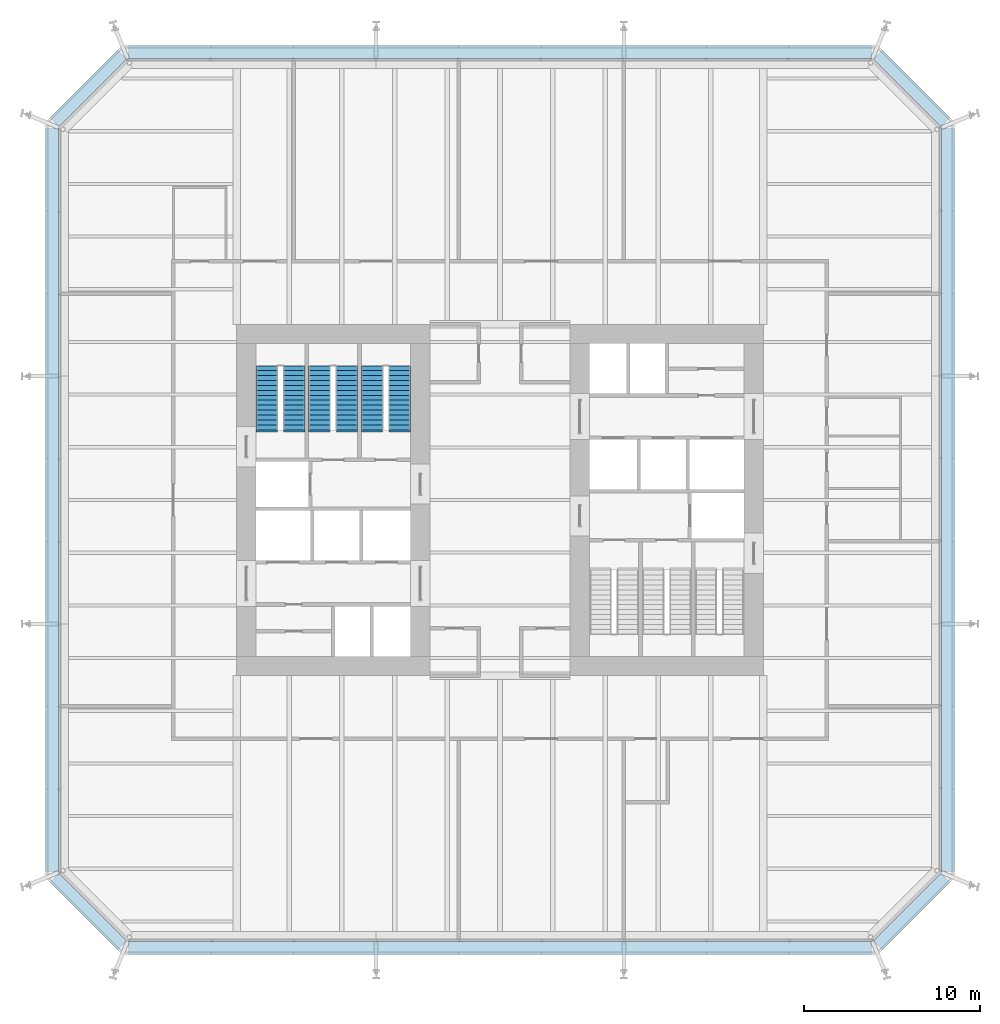
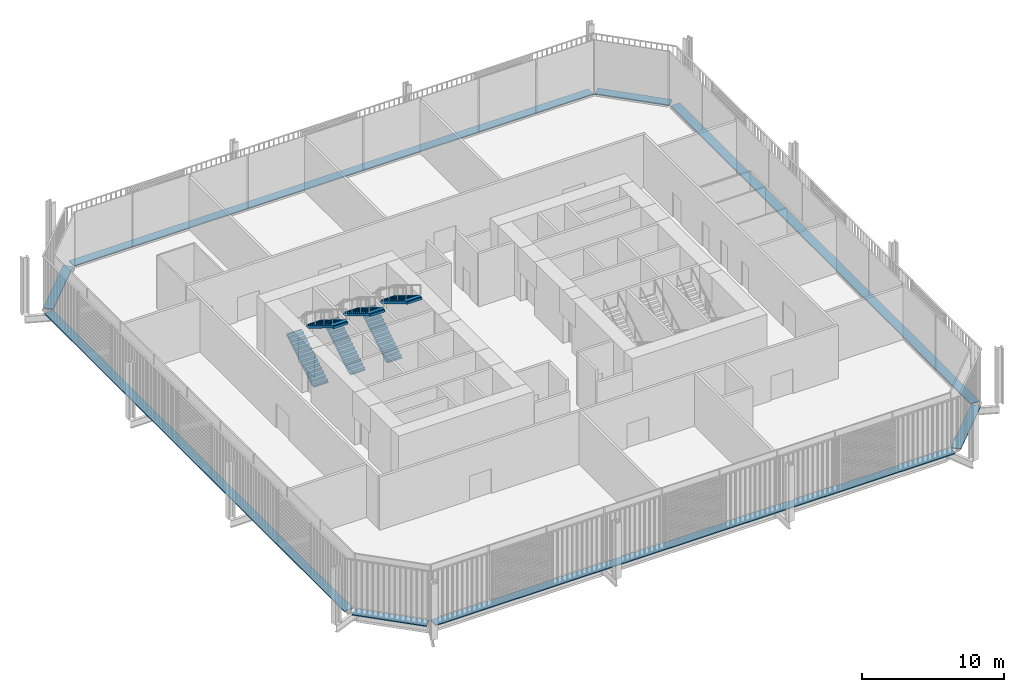
# One storey, part 21 of 22: 8 discrete accessories, 6 stair flights, 3 elements without a shape of their own.
"""IFC4 building model written with IfcOpenShell, lengths in metres."""

from ifc_helpers import new_model, si_unit, direction, frame, origin, origin_2d, place, context, subcontext, project, spatial, polyline, rectangle, outline, extrude, material, type_object, element, aggregate, save


model = new_model("IFC4")

# Units and contexts
model_context = context("Model", 3, precision=1e-05, world=origin(), true_north=direction((0.0, 1.0)))
body_context = subcontext(model_context, "Body", "Model", "MODEL_VIEW")
ifc_project = project(units=[si_unit("LENGTHUNIT", "METRE"), si_unit("AREAUNIT", "SQUARE_METRE"), si_unit("VOLUMEUNIT", "CUBIC_METRE"), si_unit("PLANEANGLEUNIT", "RADIAN"), si_unit("MASSUNIT", "GRAM", prefix="KILO")], contexts=[model_context])

# Site, building, storey
site_placement = place(None, origin())
site = spatial("IfcSite", under=ifc_project, at=site_placement, CompositionType="ELEMENT")
building_placement = place(site_placement, origin())
building = spatial("IfcBuilding", under=site, at=building_placement, Name="Millrace Tower", CompositionType="ELEMENT")
storey_placement = place(building_placement, frame((0.0, 0.0, 40.10009765625)))
storey = spatial("IfcBuildingStorey", under=building, at=storey_placement, Name="L09", CompositionType="ELEMENT", Elevation=40.10009765625)

# Stair, stair flights
ifc_material_1 = material(Name="Concrete C35", Category="concrete")
stair_type = type_object("IfcStairType", Name="Exit stair", PredefinedType="HALF_TURN_STAIR", material=ifc_material_1)
placement = place(storey_placement, origin())
stair_1 = element("IfcStair", 1, at=placement, inside=storey, type_object=stair_type, Name="Stair 1 W L09", PredefinedType="HALF_TURN_STAIR")
ifc_material_2 = material(Name="Concrete C35", Category="concrete")
stair_flight_type = type_object("IfcStairFlightType", Name="Exit stair flight", PredefinedType="STRAIGHT", material=ifc_material_2)
stair_flight_1_placement = place(storey_placement, frame((-13.2900390625, 4.0, 0.0), z_axis=(0.0, 0.0, 1.0), x_axis=(0.0, 1.0, 0.0)))
stair_flight_1 = element("IfcStairFlight", 2, at=stair_flight_1_placement, type_object=stair_flight_type, Name="ST12 flight 1", NumberOfRisers=14, NumberOfTreads=13, PredefinedType="STRAIGHT", RiserHeight=0.171428571, TreadLength=0.28, context=body_context, shape_type="SweptSolid", body=[
    extrude(outline(polyline([(-0.1201171875, -0.0400390625), (-0.1201171875, 0.0), (0.0, 0.0), (0.0, 0.17138671875), (0.280029296875, 0.17138671875), (0.280029296875, 0.3427734375), (0.56005859375, 0.3427734375), (0.56005859375, 0.514404296875), (0.840087890625, 0.514404296875), (0.840087890625, 0.685791015625), (1.1201171875, 0.685791015625), (1.1201171875, 0.857177734375), (1.39990234375, 0.857177734375), (1.39990234375, 1.028564453125), (1.679931640625, 1.028564453125), (1.679931640625, 1.199951171875), (1.9599609375, 1.199951171875), (1.9599609375, 1.371337890625), (2.239990234375, 1.371337890625), (2.239990234375, 1.54296875), (2.52001953125, 1.54296875), (2.52001953125, 1.71435546875), (2.800048828125, 1.71435546875), (2.800048828125, 1.8857421875), (3.080078125, 1.8857421875), (3.080078125, 2.05712890625), (3.360107421875, 2.05712890625), (3.360107421875, 2.228515625), (3.639892578125, 2.228515625), (3.639892578125, 2.24853515625), (3.760009765625, 2.24853515625), (3.760009765625, 2.052734375), (3.639892578125, 2.052734375), (0.287109375, 0.0), (0.287109375, -0.0400390625), (-0.1201171875, -0.0400390625)])), frame((0.0, 0.60986328125, 0.0), z_axis=(0.0, -1.0, 0.0), x_axis=(1.0, 0.0, 0.0)), (0.0, 0.0, 1.0), 1.219970703125),
])
stair_flight_2_placement = place(storey_placement, frame((-11.7099609375, 7.639892578125, 2.39990234375), z_axis=(0.0, 0.0, 1.0), x_axis=(0.0, -1.0, 0.0)))
stair_flight_2 = element("IfcStairFlight", 3, at=stair_flight_2_placement, type_object=stair_flight_type, Name="ST12 flight 2", NumberOfRisers=14, NumberOfTreads=13, PredefinedType="STRAIGHT", RiserHeight=0.171428571, TreadLength=0.28, context=body_context, shape_type="SweptSolid", body=[
    extrude(outline(polyline([(-0.1201171875, -0.0400390625), (-0.1201171875, 0.0), (0.0, 0.0), (0.0, 0.17138671875), (0.280029296875, 0.17138671875), (0.280029296875, 0.3427734375), (0.56005859375, 0.3427734375), (0.56005859375, 0.514404296875), (0.840087890625, 0.514404296875), (0.840087890625, 0.685791015625), (1.1201171875, 0.685791015625), (1.1201171875, 0.857177734375), (1.39990234375, 0.857177734375), (1.39990234375, 1.028564453125), (1.679931640625, 1.028564453125), (1.679931640625, 1.199951171875), (1.9599609375, 1.199951171875), (1.9599609375, 1.371337890625), (2.239990234375, 1.371337890625), (2.239990234375, 1.54296875), (2.52001953125, 1.54296875), (2.52001953125, 1.71435546875), (2.800048828125, 1.71435546875), (2.800048828125, 1.8857421875), (3.080078125, 1.8857421875), (3.080078125, 2.05712890625), (3.360107421875, 2.05712890625), (3.360107421875, 2.228515625), (3.639892578125, 2.228515625), (3.639892578125, 2.24853515625), (3.760009765625, 2.24853515625), (3.760009765625, 2.052734375), (3.639892578125, 2.052734375), (0.287109375, 0.0), (0.287109375, -0.0400390625), (-0.1201171875, -0.0400390625)])), frame((0.0, 0.60986328125, 0.0), z_axis=(0.0, -1.0, 0.0), x_axis=(1.0, 0.0, 0.0)), (0.0, 0.0, 1.0), 1.219970703125),
])
aggregate(stair_1, [stair_flight_1, stair_flight_2])

stair_2 = element("IfcStair", 4, at=placement, inside=storey, type_object=stair_type, Name="Stair 2 W L09", PredefinedType="HALF_TURN_STAIR")
stair_flight_3_placement = place(storey_placement, frame((-10.2900390625, 4.0, 0.0), z_axis=(0.0, 0.0, 1.0), x_axis=(0.0, 1.0, 0.0)))
stair_flight_3 = element("IfcStairFlight", 5, at=stair_flight_3_placement, type_object=stair_flight_type, Name="ST12 flight 1", NumberOfRisers=14, NumberOfTreads=13, PredefinedType="STRAIGHT", RiserHeight=0.171428571, TreadLength=0.28, context=body_context, shape_type="SweptSolid", body=[
    extrude(outline(polyline([(-0.1201171875, -0.0400390625), (-0.1201171875, 0.0), (0.0, 0.0), (0.0, 0.17138671875), (0.280029296875, 0.17138671875), (0.280029296875, 0.3427734375), (0.56005859375, 0.3427734375), (0.56005859375, 0.514404296875), (0.840087890625, 0.514404296875), (0.840087890625, 0.685791015625), (1.1201171875, 0.685791015625), (1.1201171875, 0.857177734375), (1.39990234375, 0.857177734375), (1.39990234375, 1.028564453125), (1.679931640625, 1.028564453125), (1.679931640625, 1.199951171875), (1.9599609375, 1.199951171875), (1.9599609375, 1.371337890625), (2.239990234375, 1.371337890625), (2.239990234375, 1.54296875), (2.52001953125, 1.54296875), (2.52001953125, 1.71435546875), (2.800048828125, 1.71435546875), (2.800048828125, 1.8857421875), (3.080078125, 1.8857421875), (3.080078125, 2.05712890625), (3.360107421875, 2.05712890625), (3.360107421875, 2.228515625), (3.639892578125, 2.228515625), (3.639892578125, 2.24853515625), (3.760009765625, 2.24853515625), (3.760009765625, 2.052734375), (3.639892578125, 2.052734375), (0.287109375, 0.0), (0.287109375, -0.0400390625), (-0.1201171875, -0.0400390625)])), frame((0.0, 0.60986328125, 0.0), z_axis=(0.0, -1.0, 0.0), x_axis=(1.0, 0.0, 0.0)), (0.0, 0.0, 1.0), 1.219970703125),
])
stair_flight_4_placement = place(storey_placement, frame((-8.7099609375, 7.639892578125, 2.39990234375), z_axis=(0.0, 0.0, 1.0), x_axis=(0.0, -1.0, 0.0)))
stair_flight_4 = element("IfcStairFlight", 6, at=stair_flight_4_placement, type_object=stair_flight_type, Name="ST12 flight 2", NumberOfRisers=14, NumberOfTreads=13, PredefinedType="STRAIGHT", RiserHeight=0.171428571, TreadLength=0.28, context=body_context, shape_type="SweptSolid", body=[
    extrude(outline(polyline([(-0.1201171875, -0.0400390625), (-0.1201171875, 0.0), (0.0, 0.0), (0.0, 0.17138671875), (0.280029296875, 0.17138671875), (0.280029296875, 0.3427734375), (0.56005859375, 0.3427734375), (0.56005859375, 0.514404296875), (0.840087890625, 0.514404296875), (0.840087890625, 0.685791015625), (1.1201171875, 0.685791015625), (1.1201171875, 0.857177734375), (1.39990234375, 0.857177734375), (1.39990234375, 1.028564453125), (1.679931640625, 1.028564453125), (1.679931640625, 1.199951171875), (1.9599609375, 1.199951171875), (1.9599609375, 1.371337890625), (2.239990234375, 1.371337890625), (2.239990234375, 1.54296875), (2.52001953125, 1.54296875), (2.52001953125, 1.71435546875), (2.800048828125, 1.71435546875), (2.800048828125, 1.8857421875), (3.080078125, 1.8857421875), (3.080078125, 2.05712890625), (3.360107421875, 2.05712890625), (3.360107421875, 2.228515625), (3.639892578125, 2.228515625), (3.639892578125, 2.24853515625), (3.760009765625, 2.24853515625), (3.760009765625, 2.052734375), (3.639892578125, 2.052734375), (0.287109375, 0.0), (0.287109375, -0.0400390625), (-0.1201171875, -0.0400390625)])), frame((0.0, 0.60986328125, 0.0), z_axis=(0.0, -1.0, 0.0), x_axis=(1.0, 0.0, 0.0)), (0.0, 0.0, 1.0), 1.219970703125),
])
aggregate(stair_2, [stair_flight_3, stair_flight_4])

stair_3 = element("IfcStair", 7, at=placement, inside=storey, type_object=stair_type, Name="Stair 3 W L09", PredefinedType="HALF_TURN_STAIR")
stair_flight_5_placement = place(storey_placement, frame((-7.2900390625, 4.0, 0.0), z_axis=(0.0, 0.0, 1.0), x_axis=(0.0, 1.0, 0.0)))
stair_flight_5 = element("IfcStairFlight", 8, at=stair_flight_5_placement, type_object=stair_flight_type, Name="ST12 flight 1", NumberOfRisers=14, NumberOfTreads=13, PredefinedType="STRAIGHT", RiserHeight=0.171428571, TreadLength=0.28, context=body_context, shape_type="SweptSolid", body=[
    extrude(outline(polyline([(-0.1201171875, -0.0400390625), (-0.1201171875, 0.0), (0.0, 0.0), (0.0, 0.17138671875), (0.280029296875, 0.17138671875), (0.280029296875, 0.3427734375), (0.56005859375, 0.3427734375), (0.56005859375, 0.514404296875), (0.840087890625, 0.514404296875), (0.840087890625, 0.685791015625), (1.1201171875, 0.685791015625), (1.1201171875, 0.857177734375), (1.39990234375, 0.857177734375), (1.39990234375, 1.028564453125), (1.679931640625, 1.028564453125), (1.679931640625, 1.199951171875), (1.9599609375, 1.199951171875), (1.9599609375, 1.371337890625), (2.239990234375, 1.371337890625), (2.239990234375, 1.54296875), (2.52001953125, 1.54296875), (2.52001953125, 1.71435546875), (2.800048828125, 1.71435546875), (2.800048828125, 1.8857421875), (3.080078125, 1.8857421875), (3.080078125, 2.05712890625), (3.360107421875, 2.05712890625), (3.360107421875, 2.228515625), (3.639892578125, 2.228515625), (3.639892578125, 2.24853515625), (3.760009765625, 2.24853515625), (3.760009765625, 2.052734375), (3.639892578125, 2.052734375), (0.287109375, 0.0), (0.287109375, -0.0400390625), (-0.1201171875, -0.0400390625)])), frame((0.0, 0.60986328125, 0.0), z_axis=(0.0, -1.0, 0.0), x_axis=(1.0, 0.0, 0.0)), (0.0, 0.0, 1.0), 1.219970703125),
])
stair_flight_6_placement = place(storey_placement, frame((-5.7099609375, 7.639892578125, 2.39990234375), z_axis=(0.0, 0.0, 1.0), x_axis=(0.0, -1.0, 0.0)))
stair_flight_6 = element("IfcStairFlight", 9, at=stair_flight_6_placement, type_object=stair_flight_type, Name="ST12 flight 2", NumberOfRisers=14, NumberOfTreads=13, PredefinedType="STRAIGHT", RiserHeight=0.171428571, TreadLength=0.28, context=body_context, shape_type="SweptSolid", body=[
    extrude(outline(polyline([(-0.1201171875, -0.0400390625), (-0.1201171875, 0.0), (0.0, 0.0), (0.0, 0.17138671875), (0.280029296875, 0.17138671875), (0.280029296875, 0.3427734375), (0.56005859375, 0.3427734375), (0.56005859375, 0.514404296875), (0.840087890625, 0.514404296875), (0.840087890625, 0.685791015625), (1.1201171875, 0.685791015625), (1.1201171875, 0.857177734375), (1.39990234375, 0.857177734375), (1.39990234375, 1.028564453125), (1.679931640625, 1.028564453125), (1.679931640625, 1.199951171875), (1.9599609375, 1.199951171875), (1.9599609375, 1.371337890625), (2.239990234375, 1.371337890625), (2.239990234375, 1.54296875), (2.52001953125, 1.54296875), (2.52001953125, 1.71435546875), (2.800048828125, 1.71435546875), (2.800048828125, 1.8857421875), (3.080078125, 1.8857421875), (3.080078125, 2.05712890625), (3.360107421875, 2.05712890625), (3.360107421875, 2.228515625), (3.639892578125, 2.228515625), (3.639892578125, 2.24853515625), (3.760009765625, 2.24853515625), (3.760009765625, 2.052734375), (3.639892578125, 2.052734375), (0.287109375, 0.0), (0.287109375, -0.0400390625), (-0.1201171875, -0.0400390625)])), frame((0.0, 0.60986328125, 0.0), z_axis=(0.0, -1.0, 0.0), x_axis=(1.0, 0.0, 0.0)), (0.0, 0.0, 1.0), 1.219970703125),
])
aggregate(stair_3, [stair_flight_5, stair_flight_6])

# Discrete accessories
ifc_material_3 = material(Name="Stainless steel ASTM A240 type 316", Category="steel")
discrete_accessory_type = type_object("IfcDiscreteAccessoryType", Name="Thermally broken screen support rail", PredefinedType="BRACKET", material=ifc_material_3)
discrete_accessory_1_placement = place(storey_placement, frame((-23.435546875, -23.435546875, -0.000244140625), z_axis=(0.0, 0.0, 1.0), x_axis=(0.707106781187, -0.707106781187, 0.0)))
element("IfcDiscreteAccessory", 10, at=discrete_accessory_1_placement, inside=storey, type_object=discrete_accessory_type, Name="Thermally broken screen support rail A-F01 L09 1", PredefinedType="BRACKET", context=body_context, shape_type="SweptSolid", body=[
    extrude(rectangle(XDim=5.44482421875, YDim=0.719970703125, at=origin_2d()), origin(), (0.0, 0.0, 1.0), 0.10009765625),
])
discrete_accessory_2_placement = place(storey_placement, frame((0.0, -25.510009765625, -0.000244140625), z_axis=(0.0, 0.0, 1.0), x_axis=(1.0, 0.0, 0.0)))
element("IfcDiscreteAccessory", 11, at=discrete_accessory_2_placement, inside=storey, type_object=discrete_accessory_type, Name="Thermally broken screen support rail A-F02 L09 1", PredefinedType="BRACKET", context=body_context, shape_type="SweptSolid", body=[
    extrude(rectangle(XDim=42.300048828125, YDim=0.719970703125, at=origin_2d()), origin(), (0.0, 0.0, 1.0), 0.10009765625),
])
discrete_accessory_3_placement = place(storey_placement, frame((23.435546875, -23.435546875, -0.000244140625), z_axis=(0.0, 0.0, 1.0), x_axis=(0.707106781187, 0.707106781187, 0.0)))
element("IfcDiscreteAccessory", 12, at=discrete_accessory_3_placement, inside=storey, type_object=discrete_accessory_type, Name="Thermally broken screen support rail A-F03 L09 1", PredefinedType="BRACKET", context=body_context, shape_type="SweptSolid", body=[
    extrude(rectangle(XDim=5.44482421875, YDim=0.719970703125, at=origin_2d()), origin(), (0.0, 0.0, 1.0), 0.10009765625),
])
discrete_accessory_4_placement = place(storey_placement, frame((25.510009765625, 0.0, -0.000244140625), z_axis=(0.0, 0.0, 1.0), x_axis=(0.0, 1.0, 0.0)))
element("IfcDiscreteAccessory", 13, at=discrete_accessory_4_placement, inside=storey, type_object=discrete_accessory_type, Name="Thermally broken screen support rail A-F04 L09 1", PredefinedType="BRACKET", context=body_context, shape_type="SweptSolid", body=[
    extrude(rectangle(XDim=42.300048828125, YDim=0.719970703125, at=origin_2d()), origin(), (0.0, 0.0, 1.0), 0.10009765625),
])
discrete_accessory_5_placement = place(storey_placement, frame((23.435546875, 23.435546875, -0.000244140625), z_axis=(0.0, 0.0, 1.0), x_axis=(-0.707106781187, 0.707106781187, 0.0)))
element("IfcDiscreteAccessory", 14, at=discrete_accessory_5_placement, inside=storey, type_object=discrete_accessory_type, Name="Thermally broken screen support rail A-F05 L09 1", PredefinedType="BRACKET", context=body_context, shape_type="SweptSolid", body=[
    extrude(rectangle(XDim=5.44482421875, YDim=0.719970703125, at=origin_2d()), origin(), (0.0, 0.0, 1.0), 0.10009765625),
])
discrete_accessory_6_placement = place(storey_placement, frame((0.0, 25.510009765625, -0.000244140625), z_axis=(0.0, 0.0, 1.0), x_axis=(-1.0, 0.0, 0.0)))
element("IfcDiscreteAccessory", 15, at=discrete_accessory_6_placement, inside=storey, type_object=discrete_accessory_type, Name="Thermally broken screen support rail A-F06 L09 1", PredefinedType="BRACKET", context=body_context, shape_type="SweptSolid", body=[
    extrude(rectangle(XDim=42.300048828125, YDim=0.719970703125, at=origin_2d()), origin(), (0.0, 0.0, 1.0), 0.10009765625),
])
discrete_accessory_7_placement = place(storey_placement, frame((-23.435546875, 23.435546875, -0.000244140625), z_axis=(0.0, 0.0, 1.0), x_axis=(-0.707106781187, -0.707106781187, 0.0)))
element("IfcDiscreteAccessory", 16, at=discrete_accessory_7_placement, inside=storey, type_object=discrete_accessory_type, Name="Thermally broken screen support rail A-F07 L09 1", PredefinedType="BRACKET", context=body_context, shape_type="SweptSolid", body=[
    extrude(rectangle(XDim=5.44482421875, YDim=0.719970703125, at=origin_2d()), origin(), (0.0, 0.0, 1.0), 0.10009765625),
])
discrete_accessory_8_placement = place(storey_placement, frame((-25.510009765625, 0.0, -0.000244140625), z_axis=(0.0, 0.0, 1.0), x_axis=(0.0, -1.0, 0.0)))
element("IfcDiscreteAccessory", 17, at=discrete_accessory_8_placement, inside=storey, type_object=discrete_accessory_type, Name="Thermally broken screen support rail A-F08 L09 1", PredefinedType="BRACKET", context=body_context, shape_type="SweptSolid", body=[
    extrude(rectangle(XDim=42.300048828125, YDim=0.719970703125, at=origin_2d()), origin(), (0.0, 0.0, 1.0), 0.10009765625),
])

save(model, "model.ifc")
